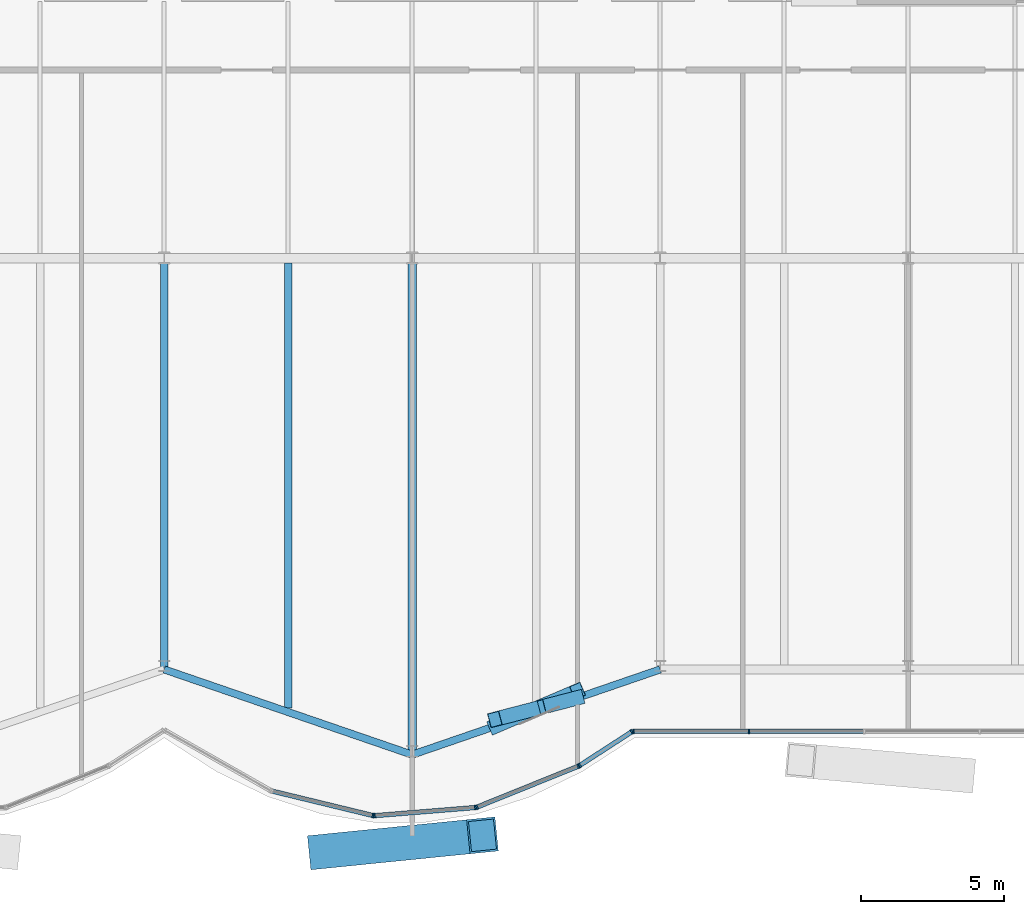
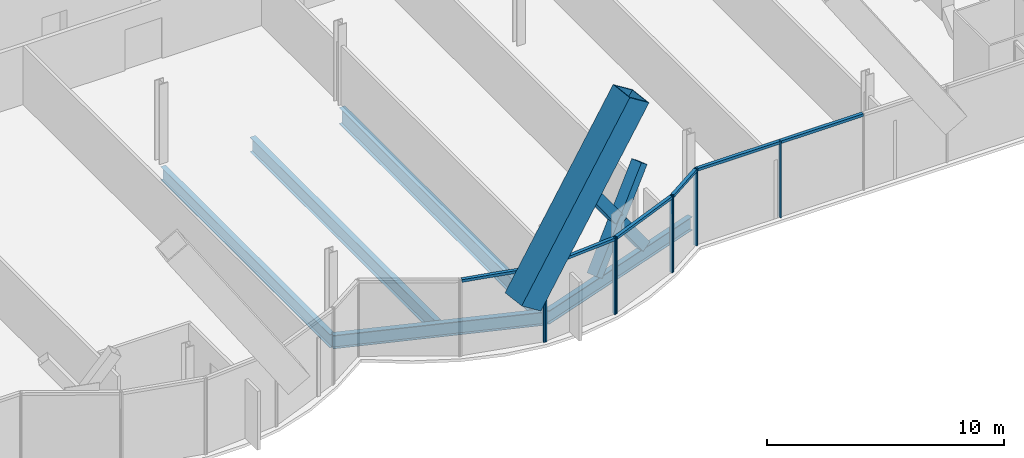
# One storey, part 8 of 22: 19 members, 5 beams, 2 elements without a shape of their own.
"""IFC4 building model written with IfcOpenShell, lengths in metres."""

import ifcopenshell
import ifcopenshell.guid

model = None  # the IFC model being written
_history = None  # IfcOwnerHistory: only IFC2X3 demands one
_inside = {}  # id of a spatial element -> (the spatial element, [elements in it])
_under = {}  # id of a project, library or spatial element -> (it, [spatial elements below it])
_declared = {}  # id of a project -> (the project, [libraries it declares])
_typed = {}  # id of a type object -> (the type object, [elements of that type])
_made_of = {}  # id of a material, layer set ... -> (it, [elements and type objects made of it])


def new_model(schema):
    """Start an empty IFC model of exactly this schema.

    Asked for "IFC4X3", IfcOpenShell would pick the latest addendum, in which some entities
    have other attributes; the version numbers below select the first issue.
    IFC2X3 requires an IfcOwnerHistory on every rooted entity: one is made here for all.
    """
    global model, _history
    if schema == "IFC4X3":
        model = ifcopenshell.file(schema_version=(4, 3, 0, 0))
    else:
        model = ifcopenshell.file(schema=schema)
    _inside.clear()
    _under.clear()
    _declared.clear()
    _typed.clear()
    _made_of.clear()
    _history = None
    if model.schema == "IFC2X3":
        org = make("IfcOrganization", Name="unknown")
        user = make(
            "IfcPersonAndOrganization",
            ThePerson=make("IfcPerson", FamilyName="unknown"),
            TheOrganization=org,
        )
        app = make(
            "IfcApplication",
            ApplicationDeveloper=org,
            Version="unknown",
            ApplicationFullName="unknown",
            ApplicationIdentifier="unknown",
        )
        _history = make(
            "IfcOwnerHistory",
            OwningUser=user,
            OwningApplication=app,
            ChangeAction="ADDED",
            CreationDate=0,
        )
    return model


def make(cls, **values):
    """One entity of the class cls with the attributes given. An attribute that is None is left unset."""
    return model.create_entity(
        cls, **{name: value for name, value in values.items() if value is not None}
    )


def rooted(cls, **values):
    """An entity with a GlobalId (a new one), such as an element, a storey or a relation."""
    return make(cls, GlobalId=ifcopenshell.guid.new(), OwnerHistory=_history, **values)


def si_unit(unit_type, name, prefix=None):
    """IfcSIUnit, for example si_unit("LENGTHUNIT", "METRE", prefix="MILLI")."""
    return make("IfcSIUnit", UnitType=unit_type, Prefix=prefix, Name=name)


def assignment(units):
    """IfcUnitAssignment: the units of a project."""
    return None if units is None else make("IfcUnitAssignment", Units=units)


def point(xyz):
    """IfcCartesianPoint."""
    return None if xyz is None else make("IfcCartesianPoint", Coordinates=xyz)


def direction(xyz):
    """IfcDirection."""
    return None if xyz is None else make("IfcDirection", DirectionRatios=xyz)


def frame(location, z_axis=None, x_axis=None):
    """IfcAxis2Placement3D, a coordinate frame: its origin and axes. An axis left out is left unset."""
    return make(
        "IfcAxis2Placement3D",
        Location=point(location),
        Axis=direction(z_axis),
        RefDirection=direction(x_axis),
    )


def frame_2d(location, x_axis=None):
    """IfcAxis2Placement2D, a coordinate frame in the plane: its origin and x axis."""
    return make(
        "IfcAxis2Placement2D", Location=point(location), RefDirection=direction(x_axis)
    )


def origin():
    """The frame at (0, 0, 0) with its axes left unset."""
    return frame((0.0, 0.0, 0.0))


def origin_2d():
    """The frame at (0, 0) in the plane with its x axis left unset."""
    return frame_2d((0.0, 0.0))


def place(relative_to, where):
    """IfcLocalPlacement: puts the frame where relative to a parent placement (None: the world)."""
    return make(
        "IfcLocalPlacement", PlacementRelTo=relative_to, RelativePlacement=where
    )


def context(
    kind, dimensions, precision=None, world=None, true_north=None, identifier=None
):
    """IfcGeometricRepresentationContext, for example the 3D "Model" context."""
    return make(
        "IfcGeometricRepresentationContext",
        ContextIdentifier=identifier,
        ContextType=kind,
        CoordinateSpaceDimension=dimensions,
        Precision=precision,
        WorldCoordinateSystem=world,
        TrueNorth=true_north,
    )


def subcontext(parent, identifier, kind, view, scale=None):
    """IfcGeometricRepresentationSubContext, for example "Body" below "Model"."""
    return make(
        "IfcGeometricRepresentationSubContext",
        ContextIdentifier=identifier,
        ContextType=kind,
        ParentContext=parent,
        TargetScale=scale,
        TargetView=view,
    )


def project(units=None, contexts=None):
    """IfcProject with its units and contexts."""
    return rooted(
        "IfcProject",
        Name="project",
        RepresentationContexts=contexts,
        UnitsInContext=assignment(units),
    )


def spatial(cls, under=None, at=None, **own):
    """A site, building, storey or space (cls), placed at a placement, below another one or the project."""
    s = rooted(cls, ObjectPlacement=at, **own)
    if under is not None:
        _under.setdefault(under.id(), (under, []))[1].append(s)
    return s


def profile(cls, at=None, kind="AREA", **sizes):
    """A parametric profile (cls). Its sizes go by their IFC names, for example OverallWidth=200.0."""
    return make(cls, ProfileType=kind, Position=at, **sizes)


def rectangle(**sizes):
    """IfcRectangleProfileDef."""
    return profile("IfcRectangleProfileDef", **sizes)


def hollow_rectangle(**sizes):
    """IfcRectangleHollowProfileDef."""
    return profile("IfcRectangleHollowProfileDef", **sizes)


def i_section(**sizes):
    """IfcIShapeProfileDef."""
    return profile("IfcIShapeProfileDef", **sizes)


def extrude(swept, where, along, depth):
    """IfcExtrudedAreaSolid: the profile swept, set in the frame where, extruded along a direction by depth."""
    return make(
        "IfcExtrudedAreaSolid",
        SweptArea=swept,
        Position=where,
        ExtrudedDirection=direction(along),
        Depth=depth,
    )


def shape(context_of_items, identifier, shape_type, items):
    """IfcShapeRepresentation: the items that make up one representation, for example the "Body"."""
    return make(
        "IfcShapeRepresentation",
        ContextOfItems=context_of_items,
        RepresentationIdentifier=identifier,
        RepresentationType=shape_type,
        Items=items,
    )


def material(Name=None, Category=None):
    """IfcMaterial."""
    return make("IfcMaterial", Name=Name, Category=Category)


def material_profile(
    of_material, cross_section, Name=None, Category=None, Priority=None
):
    """IfcMaterialProfile: a cross section and its material."""
    return make(
        "IfcMaterialProfile",
        Name=Name,
        Material=of_material,
        Profile=cross_section,
        Priority=Priority,
        Category=Category,
    )


def profile_set(profiles, Name=None, composite=None):
    """IfcMaterialProfileSet."""
    return make(
        "IfcMaterialProfileSet",
        Name=Name,
        MaterialProfiles=profiles,
        CompositeProfile=composite,
    )


def made_of(thing, what):
    """Note that an element or type object is made of a material, layer set ...; save() writes the relation."""
    if what is not None:
        _made_of.setdefault(what.id(), (what, []))[1].append(thing)
    return thing


def type_object(cls, material=None, **own):
    """A type object (cls), such as IfcWallType, which elements share."""
    return made_of(rooted(cls, **own), material)


def element(
    cls,
    number,
    at=None,
    inside=None,
    cuts=None,
    type_object=None,
    material=None,
    context=None,
    identifier="Body",
    shape_type=None,
    held_by="IfcProductDefinitionShape",
    body=None,
    shapes=None,
    **own,
):
    """One element of the class cls, such as IfcWall. Its Tag is "e" and its number.

    at: its placement. inside: the storey or other place that contains it. cuts: it is an
    opening in that element (IfcRelVoidsElement). A single representation is given by context,
    identifier, shape_type and body (its items); several are given by shapes. held_by: the class
    of the entity that holds the representations. save() writes the other relations.
    """
    e = rooted(cls, Tag="e%d" % number, ObjectPlacement=at, **own)
    if body is not None:
        shapes = [shape(context, identifier, shape_type, body)]
    if shapes is not None:
        e.Representation = make(held_by, Representations=shapes)
    if inside is not None:
        _inside.setdefault(inside.id(), (inside, []))[1].append(e)
    if cuts is not None:
        rooted(
            "IfcRelVoidsElement", RelatingBuildingElement=cuts, RelatedOpeningElement=e
        )
    if type_object is not None:
        _typed.setdefault(type_object.id(), (type_object, []))[1].append(e)
    return made_of(e, material)


def aggregate(whole, parts):
    """IfcRelAggregates: a whole, such as a stair, and the parts it consists of."""
    return rooted("IfcRelAggregates", RelatingObject=whole, RelatedObjects=parts)


def save(model, path):
    """Write the relations noted so far, then the file.

    IfcRelAggregates (storeys below a building ...), IfcRelContainedInSpatialStructure (elements
    in a storey), IfcRelDefinesByType, IfcRelAssociatesMaterial and IfcRelDeclares: one each for
    every whole, place, type object, material and project.
    """
    for whole, parts in _under.values():
        aggregate(whole, parts)
    for where, things in _inside.values():
        rooted(
            "IfcRelContainedInSpatialStructure",
            RelatedElements=things,
            RelatingStructure=where,
        )
    for kind, things in _typed.values():
        rooted("IfcRelDefinesByType", RelatedObjects=things, RelatingType=kind)
    for what, things in _made_of.values():
        rooted("IfcRelAssociatesMaterial", RelatedObjects=things, RelatingMaterial=what)
    for by, libraries in _declared.values():
        rooted("IfcRelDeclares", RelatingContext=by, RelatedDefinitions=libraries)
    model.write(path)


model = new_model("IFC4")

# Units and contexts
model_context = context("Model", 3, precision=1e-05, world=origin(), true_north=direction((0.0, 1.0)))
body_context = subcontext(model_context, "Body", "Model", "MODEL_VIEW")
ifc_project = project(units=[si_unit("LENGTHUNIT", "METRE"), si_unit("AREAUNIT", "SQUARE_METRE"), si_unit("VOLUMEUNIT", "CUBIC_METRE"), si_unit("PLANEANGLEUNIT", "RADIAN"), si_unit("MASSUNIT", "GRAM", prefix="KILO")], contexts=[model_context])

# Site, building, storey
site_placement = place(None, origin())
site = spatial("IfcSite", under=ifc_project, at=site_placement, CompositionType="ELEMENT")
building_placement = place(site_placement, origin())
building = spatial("IfcBuilding", under=site, at=building_placement, Name="Bicima Exchange Tower", CompositionType="ELEMENT")
storey_placement = place(building_placement, frame((0.0, 0.0, 94.0)))
storey = spatial("IfcBuildingStorey", under=building, at=storey_placement, Name="L19", CompositionType="ELEMENT", Elevation=94.0)

# Member
ifc_material_1 = material(Name="Steel ASTM A572 Gr 50", Category="steel")
ifc_material_profile_1 = material_profile(ifc_material_1, hollow_rectangle(XDim=1.199951171875, YDim=1.199951171875, WallThickness=0.070068359375, at=origin_2d()))
ifc_profile_set_1 = profile_set([ifc_material_profile_1], Name="Steel ASTM A572 Gr 50")
member_type_1 = type_object("IfcMemberType", Name="Exo mega brace BOX 1200x1200x70", PredefinedType="BRACE", material=ifc_profile_set_1)
member_1_placement = place(storey_placement, frame((5.583251953125, -42.811279296875, 3.416748046875), z_axis=(0.551958035604, 0.055606091562, 0.832015798837), x_axis=(-0.10023595765, 0.994963694209, 0.0)))
element("IfcMember", 1, at=member_1_placement, inside=storey, type_object=member_type_1, Name="Exo mega brace front", PredefinedType="BRACE", context=body_context, shape_type="SweptSolid", body=[
    extrude(hollow_rectangle(XDim=1.199951171875, YDim=1.199951171875, WallThickness=0.070068359375, at=origin_2d()), origin(), (0.0, 0.0, 1.0), 10.11572265625),
])

# Beams
ifc_material_2 = material(Name="Steel ASTM A992 Gr 50", Category="steel")
ifc_material_profile_2 = material_profile(ifc_material_2, i_section(OverallWidth=0.25390625, OverallDepth=0.67822265625, WebThickness=0.01171875, FlangeThickness=0.016357421875, at=origin_2d()))
ifc_profile_set_2 = profile_set([ifc_material_profile_2], Name="Steel ASTM A992 Gr 50")
beam_type_1 = type_object("IfcBeamType", Name="Floor beam W27x84", PredefinedType="JOIST", material=ifc_profile_set_2)
beam_1_placement = place(storey_placement, frame((0.0, -22.16259765625, -0.489013671875), z_axis=(0.0, -1.0, 0.0), x_axis=(1.0, 0.0, 0.0)))
element("IfcBeam", 2, at=beam_1_placement, inside=storey, type_object=beam_type_1, Name="Floor beam", PredefinedType="JOIST", context=body_context, shape_type="SweptSolid", body=[
    extrude(i_section(OverallWidth=0.25390625, OverallDepth=0.67822265625, WebThickness=0.01171875, FlangeThickness=0.016357421875, at=origin_2d()), origin(), (0.0, 0.0, 1.0), 14.265380859375),
])
ifc_material_profile_3 = material_profile(ifc_material_2, i_section(OverallWidth=0.2666015625, OverallDepth=0.75439453125, WebThickness=0.01318359375, FlangeThickness=0.01708984375, at=origin_2d()))
ifc_profile_set_3 = profile_set([ifc_material_profile_3], Name="Steel ASTM A992 Gr 50")
beam_type_2 = type_object("IfcBeamType", Name="Floor beam W30x99", PredefinedType="JOIST", material=ifc_profile_set_3)
beam_2_placement = place(storey_placement, frame((4.35009765625, -22.16259765625, -0.527099609375), z_axis=(0.0, -1.0, 0.0), x_axis=(1.0, 0.0, 0.0)))
element("IfcBeam", 3, at=beam_2_placement, inside=storey, type_object=beam_type_2, Name="Floor beam", PredefinedType="JOIST", context=body_context, shape_type="SweptSolid", body=[
    extrude(i_section(OverallWidth=0.2666015625, OverallDepth=0.75439453125, WebThickness=0.01318359375, FlangeThickness=0.01708984375, at=origin_2d()), origin(), (0.0, 0.0, 1.0), 15.625244140625),
])
ifc_material_profile_4 = material_profile(ifc_material_2, i_section(OverallWidth=0.2919921875, OverallDepth=0.835693359375, WebThickness=0.013916015625, FlangeThickness=0.018798828125, at=origin_2d()))
ifc_profile_set_4 = profile_set([ifc_material_profile_4], Name="Steel ASTM A992 Gr 50")
beam_type_3 = type_object("IfcBeamType", Name="Floor beam W33x118", PredefinedType="JOIST", material=ifc_profile_set_4)
beam_3_placement = place(storey_placement, frame((8.699951171875, -22.16259765625, -0.56787109375), z_axis=(0.0, -1.0, 0.0), x_axis=(1.0, 0.0, 0.0)))
element("IfcBeam", 4, at=beam_3_placement, inside=storey, type_object=beam_type_3, Name="Floor beam", PredefinedType="JOIST", context=body_context, shape_type="SweptSolid", body=[
    extrude(i_section(OverallWidth=0.2919921875, OverallDepth=0.835693359375, WebThickness=0.013916015625, FlangeThickness=0.018798828125, at=origin_2d()), origin(), (0.0, 0.0, 1.0), 17.120849609375),
])
ifc_material_profile_5 = material_profile(ifc_material_2, i_section(OverallWidth=0.256591796875, OverallDepth=0.693359375, WebThickness=0.014404296875, FlangeThickness=0.023681640625, at=origin_2d()))
ifc_profile_set_5 = profile_set([ifc_material_profile_5], Name="Steel ASTM A992 Gr 50")
beam_type_4 = type_object("IfcBeamType", Name="Front girder W27x114", PredefinedType="BEAM", material=ifc_profile_set_5)
for number, where, z_axis, x_axis, name in (
    (5, (0.0, -36.427978515625, -0.49658203125), (0.945666456746, -0.325138359143, 0.0), (0.325138359143, 0.945666456746, 0.0), "Front girder"),
    (6, (8.699951171875, -39.419189453125, -0.49658203125), (0.945666456746, 0.325138359143, 0.0), (-0.325138359143, 0.945666456746, 0.0), "Front girder"),
):
    element("IfcBeam", number, at=place(storey_placement, frame(where, z_axis=z_axis, x_axis=x_axis)), inside=storey, type_object=beam_type_4, Name=name, PredefinedType="BEAM", context=body_context, shape_type="SweptSolid", body=[
        extrude(i_section(OverallWidth=0.256591796875, OverallDepth=0.693359375, WebThickness=0.014404296875, FlangeThickness=0.023681640625, at=origin_2d()), origin(), (0.0, 0.0, 1.0), 9.19970703125),
    ])

# Curtain wall, members
ifc_material_3 = material(Name="Anodised bronze aluminium", Category="aluminium")
curtain_wall_type = type_object("IfcCurtainWallType", Name="Front glass wall", PredefinedType="NOTDEFINED", material=ifc_material_3)
curtain_wall_1_placement = place(storey_placement, origin())
curtain_wall_1 = element("IfcCurtainWall", 7, at=curtain_wall_1_placement, inside=storey, type_object=curtain_wall_type, Name="Front glass wall L19 run 11", PredefinedType="NOTDEFINED")
ifc_material_profile_6 = material_profile(ifc_material_3, rectangle(XDim=0.159912109375, YDim=0.06005859375, at=origin_2d()))
ifc_profile_set_6 = profile_set([ifc_material_profile_6], Name="Anodised bronze aluminium")
member_type_2 = type_object("IfcMemberType", Name="Front glass wall mullion 60 x 160", PredefinedType="MULLION", material=ifc_profile_set_6)
member_2_placement = place(storey_placement, frame((7.322509765625, -41.553955078125, 0.0), z_axis=(0.0, 0.0, 1.0), x_axis=(0.235681529503, 0.971830343553, 0.0)))
member_2 = element("IfcMember", 8, at=member_2_placement, type_object=member_type_2, Name="Front glass wall mullion 2", PredefinedType="MULLION", context=body_context, shape_type="SweptSolid", body=[
    extrude(rectangle(XDim=0.159912109375, YDim=0.06005859375, at=origin_2d()), origin(), (0.0, 0.0, 1.0), 3.949951171875),
])
member_3_placement = place(storey_placement, frame((7.381591796875, -41.55859375, 0.0), z_axis=(0.0, 0.0, 1.0), x_axis=(-0.080588612633, 0.99674744821, 0.0)))
member_3 = element("IfcMember", 9, at=member_3_placement, type_object=member_type_2, Name="Front glass wall mullion 1", PredefinedType="MULLION", context=body_context, shape_type="SweptSolid", body=[
    extrude(rectangle(XDim=0.159912109375, YDim=0.06005859375, at=origin_2d()), origin(), (0.0, 0.0, 1.0), 3.949951171875),
])
member_4_placement = place(storey_placement, frame((10.916015625, -41.272705078125, 0.0), z_axis=(0.0, 0.0, 1.0), x_axis=(-0.080588612633, 0.99674744821, 0.0)))
member_4 = element("IfcMember", 10, at=member_4_placement, type_object=member_type_2, Name="Front glass wall mullion 2", PredefinedType="MULLION", context=body_context, shape_type="SweptSolid", body=[
    extrude(rectangle(XDim=0.159912109375, YDim=0.06005859375, at=origin_2d()), origin(), (0.0, 0.0, 1.0), 3.949951171875),
])
member_5_placement = place(storey_placement, frame((10.973876953125, -41.25927734375, 0.0), z_axis=(0.0, 0.0, 1.0), x_axis=(-0.374705304, 0.92714396679, 0.0)))
member_5 = element("IfcMember", 11, at=member_5_placement, type_object=member_type_2, Name="Front glass wall mullion 1", PredefinedType="MULLION", context=body_context, shape_type="SweptSolid", body=[
    extrude(rectangle(XDim=0.159912109375, YDim=0.06005859375, at=origin_2d()), origin(), (0.0, 0.0, 1.0), 3.949951171875),
])
member_6_placement = place(storey_placement, frame((14.52587890625, -39.823486328125, 0.0), z_axis=(0.0, 0.0, 1.0), x_axis=(-0.374705304, 0.92714396679, 0.0)))
member_6 = element("IfcMember", 12, at=member_6_placement, type_object=member_type_2, Name="Front glass wall mullion 2", PredefinedType="MULLION", context=body_context, shape_type="SweptSolid", body=[
    extrude(rectangle(XDim=0.159912109375, YDim=0.06005859375, at=origin_2d()), origin(), (0.0, 0.0, 1.0), 3.949951171875),
])
member_7_placement = place(storey_placement, frame((14.578857421875, -39.796142578125, 0.0), z_axis=(0.0, 0.0, 1.0), x_axis=(-0.542909183079, 0.839791413941, 0.0)))
member_7 = element("IfcMember", 13, at=member_7_placement, type_object=member_type_2, Name="Front glass wall mullion 1", PredefinedType="MULLION", context=body_context, shape_type="SweptSolid", body=[
    extrude(rectangle(XDim=0.159912109375, YDim=0.06005859375, at=origin_2d()), origin(), (0.0, 0.0, 1.0), 3.949951171875),
])
member_8_placement = place(storey_placement, frame((16.406982421875, -38.6142578125, 0.0), z_axis=(0.0, 0.0, 1.0), x_axis=(-0.542909183079, 0.839791413941, 0.0)))
member_8 = element("IfcMember", 14, at=member_8_placement, type_object=member_type_2, Name="Front glass wall mullion 2", PredefinedType="MULLION", context=body_context, shape_type="SweptSolid", body=[
    extrude(rectangle(XDim=0.159912109375, YDim=0.06005859375, at=origin_2d()), origin(), (0.0, 0.0, 1.0), 3.949951171875),
])

curtain_wall_2_placement = place(storey_placement, origin())
curtain_wall_2 = element("IfcCurtainWall", 15, at=curtain_wall_2_placement, inside=storey, type_object=curtain_wall_type, Name="Front glass wall L19 run 16", PredefinedType="NOTDEFINED")
member_9_placement = place(storey_placement, frame((16.462158203125, -38.597900390625, 0.0), z_axis=(0.0, 0.0, 1.0), x_axis=(0.0, 1.0, 0.0)))
member_9 = element("IfcMember", 16, at=member_9_placement, type_object=member_type_2, Name="Front glass wall mullion 1", PredefinedType="MULLION", context=body_context, shape_type="SweptSolid", body=[
    extrude(rectangle(XDim=0.159912109375, YDim=0.06005859375, at=origin_2d()), origin(), (0.0, 0.0, 1.0), 3.949951171875),
])
member_10_placement = place(storey_placement, frame((20.51171875, -38.597900390625, 0.0), z_axis=(0.0, 0.0, 1.0), x_axis=(0.0, 1.0, 0.0)))
member_10 = element("IfcMember", 17, at=member_10_placement, type_object=member_type_2, Name="Front glass wall mullion 2", PredefinedType="MULLION", context=body_context, shape_type="SweptSolid", body=[
    extrude(rectangle(XDim=0.159912109375, YDim=0.06005859375, at=origin_2d()), origin(), (0.0, 0.0, 1.0), 3.949951171875),
])

# Member
ifc_material_profile_7 = material_profile(ifc_material_3, rectangle(XDim=0.159912109375, YDim=0.139892578125, at=origin_2d()))
ifc_profile_set_7 = profile_set([ifc_material_profile_7], Name="Anodised bronze aluminium")
member_type_3 = type_object("IfcMemberType", Name="Front glass wall transom 140 x 160", PredefinedType="USERDEFINED", material=ifc_profile_set_7)
member_11_placement = place(storey_placement, frame((3.81103515625, -40.702392578125, 3.8798828125), z_axis=(0.971833557815, -0.235668275132, 0.0), x_axis=(0.235668275132, 0.971833557815, 0.0)))
member_11 = element("IfcMember", 18, at=member_11_placement, type_object=member_type_3, Name="Front glass wall transom 1.1", ObjectType="TRANSOM", PredefinedType="USERDEFINED", context=body_context, shape_type="SweptSolid", body=[
    extrude(rectangle(XDim=0.159912109375, YDim=0.139892578125, at=origin_2d()), origin(), (0.0, 0.0, 1.0), 3.583251953125),
])

member_12_placement = place(storey_placement, frame((7.41162109375, -41.55615234375, 3.8798828125), z_axis=(0.9967456465, 0.080610893699, 0.0), x_axis=(-0.080610893699, 0.9967456465, 0.0)))
member_12 = element("IfcMember", 19, at=member_12_placement, type_object=member_type_3, Name="Front glass wall transom 1.1", ObjectType="TRANSOM", PredefinedType="USERDEFINED", context=body_context, shape_type="SweptSolid", body=[
    extrude(rectangle(XDim=0.159912109375, YDim=0.139892578125, at=origin_2d()), origin(), (0.0, 0.0, 1.0), 3.48583984375),
])

member_13_placement = place(storey_placement, frame((11.001708984375, -41.247802734375, 3.8798828125), z_axis=(0.927140215882, 0.374714584842, 0.0), x_axis=(-0.374714584842, 0.927140215882, 0.0)))
member_13 = element("IfcMember", 20, at=member_13_placement, type_object=member_type_3, Name="Front glass wall transom 1.1", ObjectType="TRANSOM", PredefinedType="USERDEFINED", context=body_context, shape_type="SweptSolid", body=[
    extrude(rectangle(XDim=0.159912109375, YDim=0.139892578125, at=origin_2d()), origin(), (0.0, 0.0, 1.0), 3.77099609375),
])

member_14_placement = place(storey_placement, frame((14.60400390625, -39.77978515625, 3.8798828125), z_axis=(0.839792890287, 0.542906899407, 0.0), x_axis=(-0.542906899407, 0.839792890287, 0.0)))
member_14 = element("IfcMember", 21, at=member_14_placement, type_object=member_type_3, Name="Front glass wall transom 1.1", ObjectType="TRANSOM", PredefinedType="USERDEFINED", context=body_context, shape_type="SweptSolid", body=[
    extrude(rectangle(XDim=0.159912109375, YDim=0.139892578125, at=origin_2d()), origin(), (0.0, 0.0, 1.0), 2.11669921875),
])

aggregate(curtain_wall_1, [member_2, member_11, member_3, member_4, member_12, member_5, member_6, member_13, member_7, member_8, member_14])

member_15_placement = place(storey_placement, frame((16.4921875, -38.597900390625, 3.8798828125), z_axis=(1.0, 0.0, 0.0), x_axis=(0.0, 1.0, 0.0)))
member_15 = element("IfcMember", 22, at=member_15_placement, type_object=member_type_3, Name="Front glass wall transom 1.1", ObjectType="TRANSOM", PredefinedType="USERDEFINED", context=body_context, shape_type="SweptSolid", body=[
    extrude(rectangle(XDim=0.159912109375, YDim=0.139892578125, at=origin_2d()), origin(), (0.0, 0.0, 1.0), 3.989501953125),
])

member_16_placement = place(storey_placement, frame((20.54150390625, -38.597900390625, 3.8798828125), z_axis=(1.0, 0.0, 0.0), x_axis=(0.0, 1.0, 0.0)))
member_16 = element("IfcMember", 23, at=member_16_placement, type_object=member_type_3, Name="Front glass wall transom 2.1", ObjectType="TRANSOM", PredefinedType="USERDEFINED", context=body_context, shape_type="SweptSolid", body=[
    extrude(rectangle(XDim=0.159912109375, YDim=0.139892578125, at=origin_2d()), origin(), (0.0, 0.0, 1.0), 3.989501953125),
])

aggregate(curtain_wall_2, [member_9, member_10, member_15, member_16])

# Members
ifc_material_profile_8 = material_profile(ifc_material_1, hollow_rectangle(XDim=0.508056640625, YDim=0.508056640625, WallThickness=0.0146484375, at=origin_2d()))
ifc_profile_set_8 = profile_set([ifc_material_profile_8], Name="Steel ASTM A572 Gr 50")
member_type_4 = type_object("IfcMemberType", Name="Mega brace HSS20x20x5/8", PredefinedType="BRACE", material=ifc_profile_set_8)
member_17_placement = place(storey_placement, frame((11.60009765625, -38.422119140625, 0.0), z_axis=(0.560574722338, 0.239936175145, 0.792582243387), x_axis=(-0.393489565228, 0.919329082569, 0.0)))
element("IfcMember", 24, at=member_17_placement, inside=storey, type_object=member_type_4, Name="Mega brace front", PredefinedType="BRACE", context=body_context, shape_type="SweptSolid", body=[
    extrude(hollow_rectangle(XDim=0.508056640625, YDim=0.508056640625, WallThickness=0.0146484375, at=origin_2d()), origin(), (0.0, 0.0, 1.0), 5.173095703125),
])
member_18_placement = place(storey_placement, frame((14.5, -37.425048828125, 0.0), z_axis=(-0.571104680103, -0.148239806857, 0.807381201185), x_axis=(0.251241064565, -0.967924546376, 0.0)))
element("IfcMember", 25, at=member_18_placement, inside=storey, type_object=member_type_4, Name="Mega brace front", PredefinedType="BRACE", context=body_context, shape_type="SweptSolid", body=[
    extrude(hollow_rectangle(XDim=0.508056640625, YDim=0.508056640625, WallThickness=0.0146484375, at=origin_2d()), origin(), (0.0, 0.0, 1.0), 2.3681640625),
])
member_19_placement = place(storey_placement, frame((12.952392578125, -37.826904296875, 2.187744140625), z_axis=(-0.570987679083, -0.148236194714, 0.807464612792), x_axis=(0.251283559272, -0.967913515165, 0.0)))
element("IfcMember", 26, at=member_19_placement, inside=storey, type_object=member_type_4, Name="Mega brace front", PredefinedType="BRACE", context=body_context, shape_type="SweptSolid", body=[
    extrude(hollow_rectangle(XDim=0.508056640625, YDim=0.508056640625, WallThickness=0.0146484375, at=origin_2d()), origin(), (0.0, 0.0, 1.0), 2.368408203125),
])

save(model, "model.ifc")
